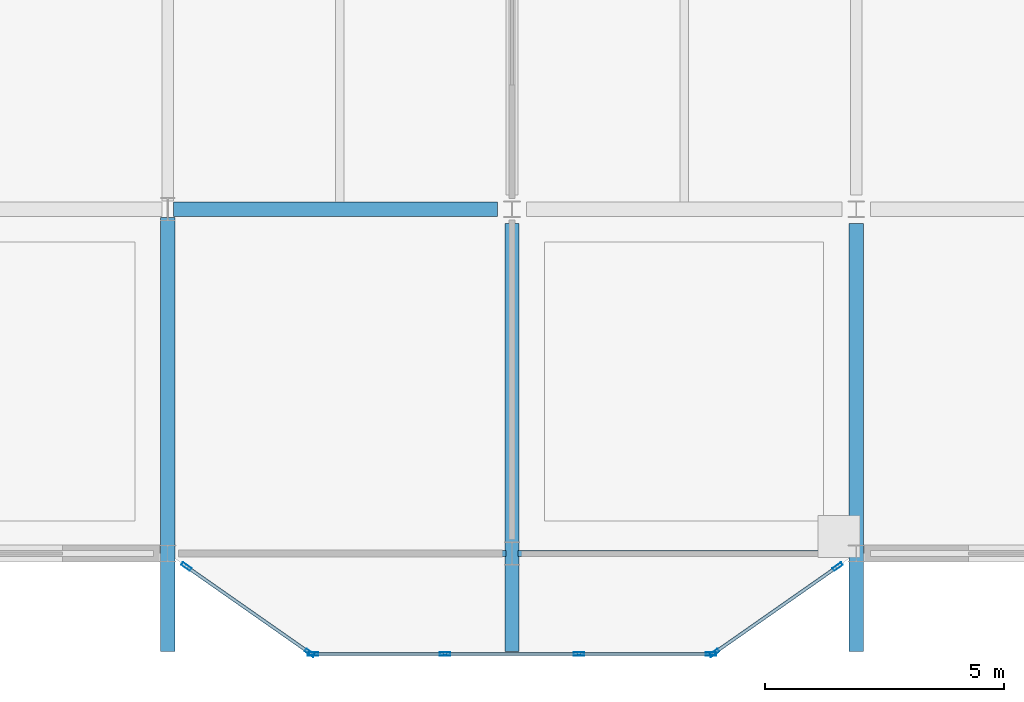
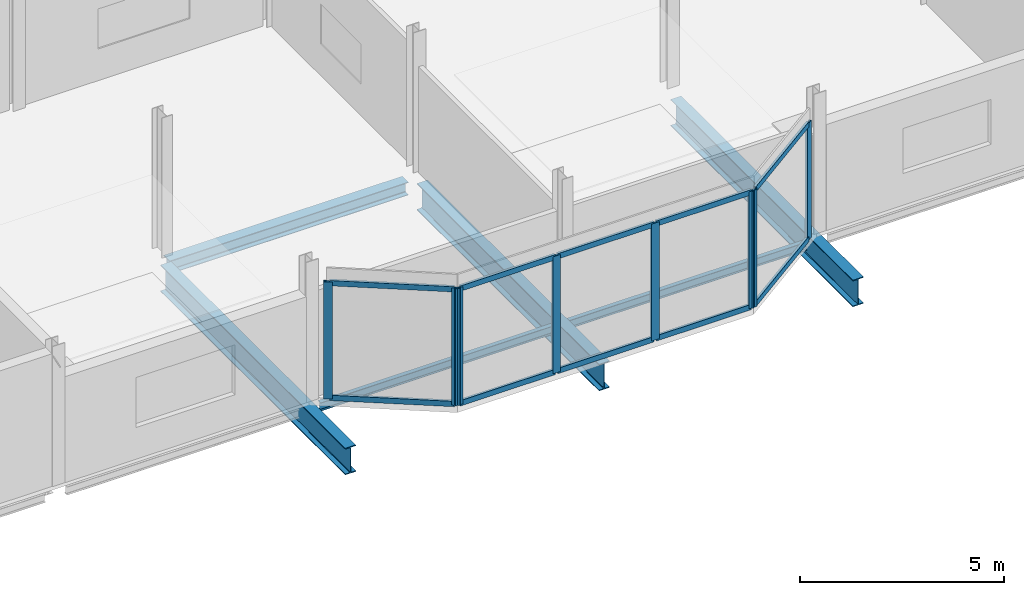
# One storey, part 9 of 26: 18 members, 6 beams, 3 elements without a shape of their own.
"""IFC4 building model written with IfcOpenShell, lengths in metres."""

from ifc_helpers import new_model, si_unit, direction, frame, origin, origin_2d, place, context, subcontext, project, spatial, hollow_rectangle, i_section, extrude, material, material_profile, profile_set, type_object, element, aggregate, save


model = new_model("IFC4")

# Units and contexts
model_context = context("Model", 3, precision=1e-05, world=origin(), true_north=direction((0.0, 1.0)))
body_context = subcontext(model_context, "Body", "Model", "MODEL_VIEW")
ifc_project = project(units=[si_unit("LENGTHUNIT", "METRE"), si_unit("AREAUNIT", "SQUARE_METRE"), si_unit("VOLUMEUNIT", "CUBIC_METRE"), si_unit("PLANEANGLEUNIT", "RADIAN"), si_unit("MASSUNIT", "GRAM", prefix="KILO")], contexts=[model_context])

# Site, building, storey
site_placement = place(None, origin())
site = spatial("IfcSite", under=ifc_project, at=site_placement, CompositionType="ELEMENT")
building_placement = place(site_placement, origin())
building = spatial("IfcBuilding", under=site, at=building_placement, Name="Vesperath Aquatics Centre", CompositionType="ELEMENT")
storey_placement = place(building_placement, frame((0.0, 0.0, 19.199951171875)))
storey = spatial("IfcBuildingStorey", under=building, at=storey_placement, Name="L04", CompositionType="ELEMENT", Elevation=19.199951171875)

# Beams
ifc_material_1 = material(Name="Steel Q355D", Category="steel")
ifc_material_profile_1 = material_profile(ifc_material_1, i_section(OverallWidth=0.300048828125, OverallDepth=0.800048828125, WebThickness=0.013916015625, FlangeThickness=0.02587890625, FilletRadius=0.028076171875, at=origin_2d()), Name="HN 800x300x14x26")
ifc_profile_set_1 = profile_set([ifc_material_profile_1], Name="Steel Q355D")
beam_type_1 = type_object("IfcBeamType", Name="BM-G07", PredefinedType="BEAM", material=ifc_profile_set_1)
beam_1_placement = place(storey_placement, frame((136.800048828125, -2.050048828125, -0.639892578125), z_axis=(0.0, 1.0, 0.0), x_axis=(-1.0, 0.0, 0.0)))
element("IfcBeam", 1, at=beam_1_placement, inside=storey, type_object=beam_type_1, Name="Floor Girder B07 L04 20 A-B", PredefinedType="BEAM", context=body_context, shape_type="SweptSolid", body=[
    extrude(i_section(OverallWidth=0.300048828125, OverallDepth=0.800048828125, WebThickness=0.013916015625, FlangeThickness=0.02587890625, FilletRadius=0.028076171875, at=origin_2d()), origin(), (0.0, 0.0, 1.0), 9.074951171875),
])
for number, where, z_axis, x_axis, name in (
    (2, (144.0, -2.050048828125, -0.639892578125), (0.0, 1.0, 0.0), (-1.0, 0.0, 0.0), "Floor Girder B07 L04 21 A-B"),
    (3, (151.199951171875, -2.050048828125, -0.639892578125), (0.0, 1.0, 0.0), (-1.0, 0.0, 0.0), "Floor Girder B07 L04 22 A-B"),
):
    element("IfcBeam", number, at=place(storey_placement, frame(where, z_axis=z_axis, x_axis=x_axis)), inside=storey, type_object=beam_type_1, Name=name, PredefinedType="BEAM", context=body_context, shape_type="SweptSolid", body=[
        extrude(i_section(OverallWidth=0.300048828125, OverallDepth=0.800048828125, WebThickness=0.013916015625, FlangeThickness=0.02587890625, FilletRadius=0.028076171875, at=origin_2d()), origin(), (0.0, 0.0, 1.0), 8.949951171875),
    ])
ifc_material_2 = material(Name="Steel Q355C", Category="steel")
ifc_material_profile_2 = material_profile(ifc_material_2, i_section(OverallWidth=0.300048828125, OverallDepth=0.389892578125, WebThickness=0.010009765625, FlangeThickness=0.01611328125, FilletRadius=0.02197265625, at=origin_2d()), Name="HM 390x300x10x16")
ifc_profile_set_2 = profile_set([ifc_material_profile_2], Name="Steel Q355C")
beam_type_2 = type_object("IfcBeamType", Name="BM-G11", PredefinedType="BEAM", material=ifc_profile_set_2)
beam_2_placement = place(storey_placement, frame((136.925048828125, 7.199951171875, -0.43505859375), z_axis=(1.0, 0.0, 0.0), x_axis=(0.0, 1.0, 0.0)))
element("IfcBeam", 4, at=beam_2_placement, inside=storey, type_object=beam_type_2, Name="Floor Girder B11 L04 B 20-21", PredefinedType="BEAM", context=body_context, shape_type="SweptSolid", body=[
    extrude(i_section(OverallWidth=0.300048828125, OverallDepth=0.389892578125, WebThickness=0.010009765625, FlangeThickness=0.01611328125, FilletRadius=0.02197265625, at=origin_2d()), origin(), (0.0, 0.0, 1.0), 6.77490234375),
])
ifc_material_profile_3 = material_profile(ifc_material_2, i_section(OverallWidth=0.125, OverallDepth=0.25, WebThickness=0.006103515625, FlangeThickness=0.009033203125, FilletRadius=0.010009765625, at=origin_2d()), Name="HN 250x125x6x9")
ifc_profile_set_3 = profile_set([ifc_material_profile_3], Name="Steel Q355C")
beam_type_3 = type_object("IfcBeamType", Name="BM-LN01", PredefinedType="LINTEL", material=ifc_profile_set_3)
for number, where, z_axis, x_axis, name in (
    (5, (137.10009765625, 0.0, -0.364990234375), (1.0, 0.0, 0.0), (0.0, 1.0, 0.0), "Floor Girder LN01 L04 A 20-21"),
    (6, (144.125, 0.0, -0.364990234375), (1.0, 0.0, 0.0), (0.0, 1.0, 0.0), "Floor Girder LN01 L04 A 21-22"),
):
    element("IfcBeam", number, at=place(storey_placement, frame(where, z_axis=z_axis, x_axis=x_axis)), inside=storey, type_object=beam_type_3, Name=name, PredefinedType="LINTEL", context=body_context, shape_type="SweptSolid", body=[
        extrude(i_section(OverallWidth=0.125, OverallDepth=0.25, WebThickness=0.006103515625, FlangeThickness=0.009033203125, FilletRadius=0.010009765625, at=origin_2d()), origin(), (0.0, 0.0, 1.0), 6.77490234375),
    ])

# Curtain wall, members
ifc_material_3 = material(Name="Thermally broken anodised bronze aluminium curtain wall", Category="aluminium")
curtain_wall_type = type_object("IfcCurtainWallType", Name="CW-03", PredefinedType="NOTDEFINED", material=ifc_material_3)
curtain_wall_1_placement = place(storey_placement, origin())
curtain_wall_1 = element("IfcCurtainWall", 7, at=curtain_wall_1_placement, inside=storey, type_object=curtain_wall_type, Name="South Boulevard Bow Oriel Curtain Wall L04-W", PredefinedType="NOTDEFINED")
ifc_material_4 = material(Name="Thermally broken anodised aluminium", Category="aluminium")
ifc_material_profile_4 = material_profile(ifc_material_4, hollow_rectangle(XDim=0.070068359375, YDim=0.219970703125, WallThickness=0.0048828125, at=origin_2d()), Name="CWM 70x220x5")
ifc_profile_set_4 = profile_set([ifc_material_profile_4], Name="Thermally broken anodised aluminium")
member_type_1 = type_object("IfcMemberType", Name="MB-CWM2", PredefinedType="MULLION", material=ifc_profile_set_4)
member_1_placement = place(storey_placement, frame((137.188720703125, -0.27197265625, 0.0), z_axis=(0.0, 0.0, 1.0), x_axis=(0.57346234437, 0.819231920515, 0.0)))
member_1 = element("IfcMember", 8, at=member_1_placement, type_object=member_type_1, Name="CW03 mullion 1", PredefinedType="MULLION", context=body_context, shape_type="SweptSolid", body=[
    extrude(hollow_rectangle(XDim=0.070068359375, YDim=0.219970703125, WallThickness=0.0048828125, at=origin_2d()), origin(), (0.0, 0.0, 1.0), 3.510009765625),
])
member_2_placement = place(storey_placement, frame((139.771240234375, -2.079833984375, 0.0), z_axis=(0.0, 0.0, 1.0), x_axis=(0.57346234437, 0.819231920515, 0.0)))
member_2 = element("IfcMember", 9, at=member_2_placement, type_object=member_type_1, Name="CW03 mullion 2", PredefinedType="MULLION", context=body_context, shape_type="SweptSolid", body=[
    extrude(hollow_rectangle(XDim=0.070068359375, YDim=0.219970703125, WallThickness=0.0048828125, at=origin_2d()), origin(), (0.0, 0.0, 1.0), 3.510009765625),
])

curtain_wall_2_placement = place(storey_placement, origin())
curtain_wall_2 = element("IfcCurtainWall", 10, at=curtain_wall_2_placement, inside=storey, type_object=curtain_wall_type, Name="South Boulevard Bow Oriel Curtain Wall L04-C", PredefinedType="NOTDEFINED")
member_3_placement = place(storey_placement, frame((139.8349609375, -2.10009765625, 0.0), z_axis=(0.0, 0.0, 1.0), x_axis=(0.0, 1.0, 0.0)))
member_3 = element("IfcMember", 11, at=member_3_placement, type_object=member_type_1, Name="CW03 mullion 1", PredefinedType="MULLION", context=body_context, shape_type="SweptSolid", body=[
    extrude(hollow_rectangle(XDim=0.070068359375, YDim=0.219970703125, WallThickness=0.0048828125, at=origin_2d()), origin(), (0.0, 0.0, 1.0), 3.510009765625),
])
member_4_placement = place(storey_placement, frame((142.60009765625, -2.10009765625, 0.0), z_axis=(0.0, 0.0, 1.0), x_axis=(0.0, 1.0, 0.0)))
member_4 = element("IfcMember", 12, at=member_4_placement, type_object=member_type_1, Name="CW03 mullion 2", PredefinedType="MULLION", context=body_context, shape_type="SweptSolid", body=[
    extrude(hollow_rectangle(XDim=0.070068359375, YDim=0.219970703125, WallThickness=0.0048828125, at=origin_2d()), origin(), (0.0, 0.0, 1.0), 3.510009765625),
])
member_5_placement = place(storey_placement, frame((145.39990234375, -2.10009765625, 0.0), z_axis=(0.0, 0.0, 1.0), x_axis=(0.0, 1.0, 0.0)))
member_5 = element("IfcMember", 13, at=member_5_placement, type_object=member_type_1, Name="CW03 mullion 3", PredefinedType="MULLION", context=body_context, shape_type="SweptSolid", body=[
    extrude(hollow_rectangle(XDim=0.070068359375, YDim=0.219970703125, WallThickness=0.0048828125, at=origin_2d()), origin(), (0.0, 0.0, 1.0), 3.510009765625),
])
member_6_placement = place(storey_placement, frame((148.1650390625, -2.10009765625, 0.0), z_axis=(0.0, 0.0, 1.0), x_axis=(0.0, 1.0, 0.0)))
member_6 = element("IfcMember", 14, at=member_6_placement, type_object=member_type_1, Name="CW03 mullion 4", PredefinedType="MULLION", context=body_context, shape_type="SweptSolid", body=[
    extrude(hollow_rectangle(XDim=0.070068359375, YDim=0.219970703125, WallThickness=0.0048828125, at=origin_2d()), origin(), (0.0, 0.0, 1.0), 3.510009765625),
])

curtain_wall_3_placement = place(storey_placement, origin())
curtain_wall_3 = element("IfcCurtainWall", 15, at=curtain_wall_3_placement, inside=storey, type_object=curtain_wall_type, Name="South Boulevard Bow Oriel Curtain Wall L04-E", PredefinedType="NOTDEFINED")
member_7_placement = place(storey_placement, frame((148.228759765625, -2.079833984375, 0.0), z_axis=(0.0, 0.0, 1.0), x_axis=(-0.57346234437, 0.819231920515, 0.0)))
member_7 = element("IfcMember", 16, at=member_7_placement, type_object=member_type_1, Name="CW03 mullion 1", PredefinedType="MULLION", context=body_context, shape_type="SweptSolid", body=[
    extrude(hollow_rectangle(XDim=0.070068359375, YDim=0.219970703125, WallThickness=0.0048828125, at=origin_2d()), origin(), (0.0, 0.0, 1.0), 3.510009765625),
])
member_8_placement = place(storey_placement, frame((150.811279296875, -0.27197265625, 0.0), z_axis=(0.0, 0.0, 1.0), x_axis=(-0.57346234437, 0.819231920515, 0.0)))
member_8 = element("IfcMember", 17, at=member_8_placement, type_object=member_type_1, Name="CW03 mullion 2", PredefinedType="MULLION", context=body_context, shape_type="SweptSolid", body=[
    extrude(hollow_rectangle(XDim=0.070068359375, YDim=0.219970703125, WallThickness=0.0048828125, at=origin_2d()), origin(), (0.0, 0.0, 1.0), 3.510009765625),
])

# Member
ifc_material_profile_5 = material_profile(ifc_material_4, hollow_rectangle(XDim=0.070068359375, YDim=0.159912109375, WallThickness=0.0048828125, at=origin_2d()), Name="CWT 70x160x5")
ifc_profile_set_5 = profile_set([ifc_material_profile_5], Name="Thermally broken anodised aluminium")
member_type_2 = type_object("IfcMemberType", Name="MB-CWT2", PredefinedType="USERDEFINED", material=ifc_profile_set_5)
member_9_placement = place(storey_placement, frame((137.21728515625, -0.292236328125, 0.03515625), z_axis=(0.819261686472, -0.573419819224, 0.0), x_axis=(0.573419819224, 0.819261686472, 0.0)))
member_9 = element("IfcMember", 18, at=member_9_placement, type_object=member_type_2, Name="CW03 transom 1.1", ObjectType="TRANSOM", PredefinedType="USERDEFINED", context=body_context, shape_type="SweptSolid", body=[
    extrude(hollow_rectangle(XDim=0.070068359375, YDim=0.159912109375, WallThickness=0.0048828125, at=origin_2d()), origin(), (0.0, 0.0, 1.0), 3.08251953125),
])

member_10_placement = place(storey_placement, frame((137.21728515625, -0.292236328125, 3.47509765625), z_axis=(0.819261686472, -0.573419819224, 0.0), x_axis=(0.573419819224, 0.819261686472, 0.0)))
member_10 = element("IfcMember", 19, at=member_10_placement, type_object=member_type_2, Name="CW03 transom 1.2", ObjectType="TRANSOM", PredefinedType="USERDEFINED", context=body_context, shape_type="SweptSolid", body=[
    extrude(hollow_rectangle(XDim=0.070068359375, YDim=0.159912109375, WallThickness=0.0048828125, at=origin_2d()), origin(), (0.0, 0.0, 1.0), 3.08251953125),
])

aggregate(curtain_wall_1, [member_1, member_2, member_9, member_10])

member_11_placement = place(storey_placement, frame((139.8701171875, -2.10009765625, 0.03515625), z_axis=(1.0, 0.0, 0.0), x_axis=(0.0, 1.0, 0.0)))
member_11 = element("IfcMember", 20, at=member_11_placement, type_object=member_type_2, Name="CW03 transom 1.1", ObjectType="TRANSOM", PredefinedType="USERDEFINED", context=body_context, shape_type="SweptSolid", body=[
    extrude(hollow_rectangle(XDim=0.070068359375, YDim=0.159912109375, WallThickness=0.0048828125, at=origin_2d()), origin(), (0.0, 0.0, 1.0), 2.69482421875),
])

member_12_placement = place(storey_placement, frame((139.8701171875, -2.10009765625, 3.47509765625), z_axis=(1.0, 0.0, 0.0), x_axis=(0.0, 1.0, 0.0)))
member_12 = element("IfcMember", 21, at=member_12_placement, type_object=member_type_2, Name="CW03 transom 1.2", ObjectType="TRANSOM", PredefinedType="USERDEFINED", context=body_context, shape_type="SweptSolid", body=[
    extrude(hollow_rectangle(XDim=0.070068359375, YDim=0.159912109375, WallThickness=0.0048828125, at=origin_2d()), origin(), (0.0, 0.0, 1.0), 2.69482421875),
])

member_13_placement = place(storey_placement, frame((142.635009765625, -2.10009765625, 0.03515625), z_axis=(1.0, 0.0, 0.0), x_axis=(0.0, 1.0, 0.0)))
member_13 = element("IfcMember", 22, at=member_13_placement, type_object=member_type_2, Name="CW03 transom 2.1", ObjectType="TRANSOM", PredefinedType="USERDEFINED", context=body_context, shape_type="SweptSolid", body=[
    extrude(hollow_rectangle(XDim=0.070068359375, YDim=0.159912109375, WallThickness=0.0048828125, at=origin_2d()), origin(), (0.0, 0.0, 1.0), 2.72998046875),
])

member_14_placement = place(storey_placement, frame((142.635009765625, -2.10009765625, 3.47509765625), z_axis=(1.0, 0.0, 0.0), x_axis=(0.0, 1.0, 0.0)))
member_14 = element("IfcMember", 23, at=member_14_placement, type_object=member_type_2, Name="CW03 transom 2.2", ObjectType="TRANSOM", PredefinedType="USERDEFINED", context=body_context, shape_type="SweptSolid", body=[
    extrude(hollow_rectangle(XDim=0.070068359375, YDim=0.159912109375, WallThickness=0.0048828125, at=origin_2d()), origin(), (0.0, 0.0, 1.0), 2.72998046875),
])

member_15_placement = place(storey_placement, frame((145.43505859375, -2.10009765625, 0.03515625), z_axis=(1.0, 0.0, 0.0), x_axis=(0.0, 1.0, 0.0)))
member_15 = element("IfcMember", 24, at=member_15_placement, type_object=member_type_2, Name="CW03 transom 3.1", ObjectType="TRANSOM", PredefinedType="USERDEFINED", context=body_context, shape_type="SweptSolid", body=[
    extrude(hollow_rectangle(XDim=0.070068359375, YDim=0.159912109375, WallThickness=0.0048828125, at=origin_2d()), origin(), (0.0, 0.0, 1.0), 2.69482421875),
])

member_16_placement = place(storey_placement, frame((145.43505859375, -2.10009765625, 3.47509765625), z_axis=(1.0, 0.0, 0.0), x_axis=(0.0, 1.0, 0.0)))
member_16 = element("IfcMember", 25, at=member_16_placement, type_object=member_type_2, Name="CW03 transom 3.2", ObjectType="TRANSOM", PredefinedType="USERDEFINED", context=body_context, shape_type="SweptSolid", body=[
    extrude(hollow_rectangle(XDim=0.070068359375, YDim=0.159912109375, WallThickness=0.0048828125, at=origin_2d()), origin(), (0.0, 0.0, 1.0), 2.69482421875),
])

aggregate(curtain_wall_2, [member_3, member_4, member_5, member_6, member_11, member_12, member_13, member_14, member_15, member_16])

member_17_placement = place(storey_placement, frame((148.25732421875, -2.059814453125, 0.03515625), z_axis=(0.819261686472, 0.573419819224, 0.0), x_axis=(-0.573419819224, 0.819261686472, 0.0)))
member_17 = element("IfcMember", 26, at=member_17_placement, type_object=member_type_2, Name="CW03 transom 1.1", ObjectType="TRANSOM", PredefinedType="USERDEFINED", context=body_context, shape_type="SweptSolid", body=[
    extrude(hollow_rectangle(XDim=0.070068359375, YDim=0.159912109375, WallThickness=0.0048828125, at=origin_2d()), origin(), (0.0, 0.0, 1.0), 3.08251953125),
])

member_18_placement = place(storey_placement, frame((148.25732421875, -2.059814453125, 3.47509765625), z_axis=(0.819261686472, 0.573419819224, 0.0), x_axis=(-0.573419819224, 0.819261686472, 0.0)))
member_18 = element("IfcMember", 27, at=member_18_placement, type_object=member_type_2, Name="CW03 transom 1.2", ObjectType="TRANSOM", PredefinedType="USERDEFINED", context=body_context, shape_type="SweptSolid", body=[
    extrude(hollow_rectangle(XDim=0.070068359375, YDim=0.159912109375, WallThickness=0.0048828125, at=origin_2d()), origin(), (0.0, 0.0, 1.0), 3.08251953125),
])

aggregate(curtain_wall_3, [member_7, member_8, member_17, member_18])

save(model, "model.ifc")
